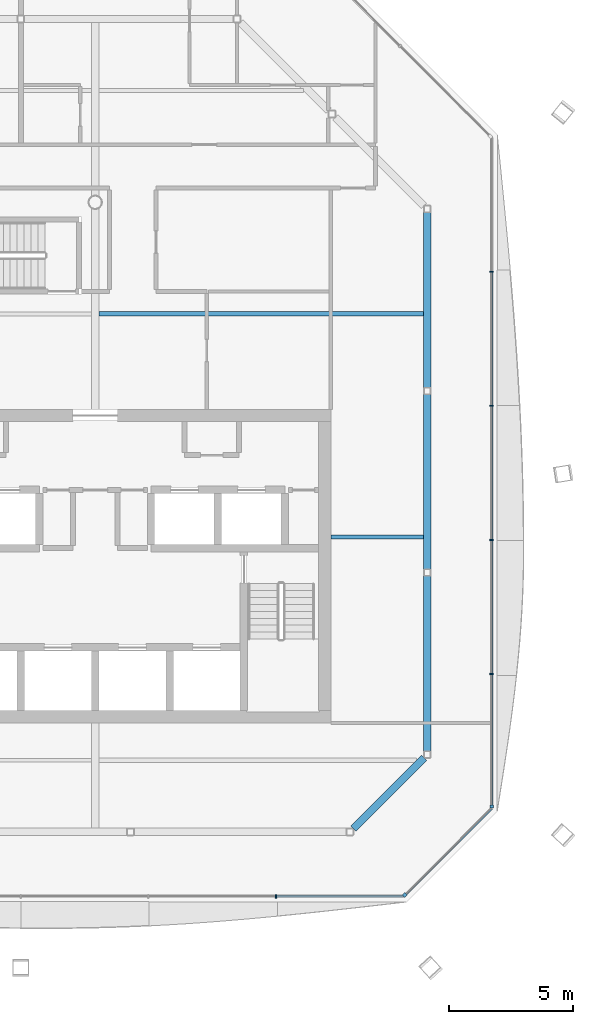
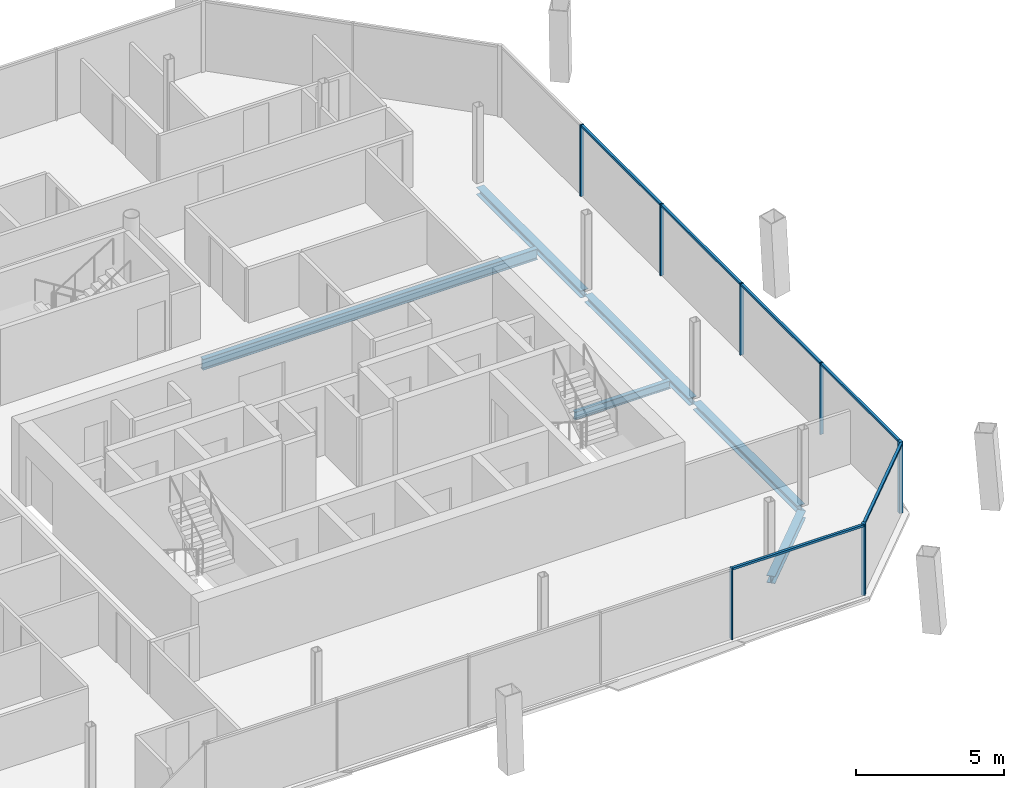
# One storey, part 7 of 18: 13 members, 6 beams, 3 elements without a shape of their own.
"""IFC4 building model written with IfcOpenShell, lengths in metres."""

from ifc_helpers import new_model, si_unit, direction, frame, origin, origin_2d, place, context, subcontext, project, spatial, rectangle, i_section, extrude, material, material_profile, profile_set, type_object, element, aggregate, save


model = new_model("IFC4")

# Units and contexts
model_context = context("Model", 3, precision=1e-05, world=origin(), true_north=direction((0.0, 1.0)))
body_context = subcontext(model_context, "Body", "Model", "MODEL_VIEW")
ifc_project = project(units=[si_unit("LENGTHUNIT", "METRE"), si_unit("AREAUNIT", "SQUARE_METRE"), si_unit("VOLUMEUNIT", "CUBIC_METRE"), si_unit("PLANEANGLEUNIT", "RADIAN"), si_unit("MASSUNIT", "GRAM", prefix="KILO")], contexts=[model_context])

# Site, building, storey
site_placement = place(None, origin())
site = spatial("IfcSite", under=ifc_project, at=site_placement, CompositionType="ELEMENT")
building_placement = place(site_placement, origin())
building = spatial("IfcBuilding", under=site, at=building_placement, Name="Tskaro Facet Tower", CompositionType="ELEMENT")
storey_placement = place(building_placement, frame((0.0, 0.0, 220.35009765625)))
storey = spatial("IfcBuildingStorey", under=building, at=storey_placement, Name="L56", CompositionType="ELEMENT", Elevation=220.35009765625)

# Curtain wall, member
ifc_material_1 = material(Name="Bronze anodised aluminium 6063-T6", Category="aluminium")
curtain_wall_type = type_object("IfcCurtainWallType", Name="Bronze residence curtain wall (FW3)", PredefinedType="NOTDEFINED", material=ifc_material_1)
curtain_wall_1_placement = place(storey_placement, origin())
curtain_wall_1 = element("IfcCurtainWall", 1, at=curtain_wall_1_placement, inside=storey, type_object=curtain_wall_type, Name="FW3 south-east facet L56", PredefinedType="NOTDEFINED")
ifc_material_profile_1 = material_profile(ifc_material_1, rectangle(XDim=0.139892578125, YDim=0.139892578125, at=origin_2d()), Name="Corner post 140x140")
ifc_profile_set_1 = profile_set([ifc_material_profile_1], Name="Bronze anodised aluminium 6063-T6")
member_type_1 = type_object("IfcMemberType", Name="FW3 bronze corner post 140x140", PredefinedType="MULLION", material=ifc_profile_set_1)
member_1_placement = place(storey_placement, frame((12.484619140625, -18.935546875, 0.0), z_axis=(0.0, 0.0, 1.0), x_axis=(0.707106781187, 0.707106781187, 0.0)))
member_1 = element("IfcMember", 2, at=member_1_placement, type_object=member_type_1, Name="FW3 south-east corner post", PredefinedType="MULLION", context=body_context, shape_type="SweptSolid", body=[
    extrude(rectangle(XDim=0.139892578125, YDim=0.139892578125, at=origin_2d()), origin(), (0.0, 0.0, 1.0), 2.949951171875),
])

curtain_wall_2_placement = place(storey_placement, origin())
curtain_wall_2 = element("IfcCurtainWall", 3, at=curtain_wall_2_placement, inside=storey, type_object=curtain_wall_type, Name="FW3 east facet L56", PredefinedType="NOTDEFINED")
member_2_placement = place(storey_placement, frame((15.985107421875, -15.364990234375, 0.0), z_axis=(0.0, 0.0, 1.0), x_axis=(0.0, 1.0, 0.0)))
member_2 = element("IfcMember", 4, at=member_2_placement, type_object=member_type_1, Name="FW3 east corner post", PredefinedType="MULLION", context=body_context, shape_type="SweptSolid", body=[
    extrude(rectangle(XDim=0.139892578125, YDim=0.139892578125, at=origin_2d()), origin(), (0.0, 0.0, 1.0), 2.949951171875),
])

curtain_wall_3_placement = place(storey_placement, origin())
curtain_wall_3 = element("IfcCurtainWall", 5, at=curtain_wall_3_placement, inside=storey, type_object=curtain_wall_type, Name="FW3 south facet L56", PredefinedType="NOTDEFINED")
ifc_material_profile_2 = material_profile(ifc_material_1, rectangle(XDim=0.050048828125, YDim=0.139892578125, at=origin_2d()), Name="Mullion 50x140")
ifc_profile_set_2 = profile_set([ifc_material_profile_2], Name="Bronze anodised aluminium 6063-T6")
member_type_2 = type_object("IfcMemberType", Name="FW3 bronze mullion 50x140", PredefinedType="MULLION", material=ifc_profile_set_2)
member_3_placement = place(storey_placement, frame((7.2900390625, -18.985107421875, 0.0), z_axis=(0.0, 0.0, 1.0), x_axis=(1.0, 0.0, 0.0)))
member_3 = element("IfcMember", 6, at=member_3_placement, type_object=member_type_2, Name="FW3 south mullion 5", PredefinedType="MULLION", context=body_context, shape_type="SweptSolid", body=[
    extrude(rectangle(XDim=0.050048828125, YDim=0.139892578125, at=origin_2d()), origin(), (0.0, 0.0, 1.0), 2.949951171875),
])

# Member
member_4_placement = place(storey_placement, frame((15.985107421875, -10.026123046875, 0.0), z_axis=(0.0, 0.0, 1.0), x_axis=(0.0, 1.0, 0.0)))
member_4 = element("IfcMember", 7, at=member_4_placement, type_object=member_type_2, Name="FW3 east mullion 1", PredefinedType="MULLION", context=body_context, shape_type="SweptSolid", body=[
    extrude(rectangle(XDim=0.050048828125, YDim=0.139892578125, at=origin_2d()), origin(), (0.0, 0.0, 1.0), 2.949951171875),
])

member_5_placement = place(storey_placement, frame((15.985107421875, -4.617431640625, 0.0), z_axis=(0.0, 0.0, 1.0), x_axis=(0.0, 1.0, 0.0)))
member_5 = element("IfcMember", 8, at=member_5_placement, type_object=member_type_2, Name="FW3 east mullion 2", PredefinedType="MULLION", context=body_context, shape_type="SweptSolid", body=[
    extrude(rectangle(XDim=0.050048828125, YDim=0.139892578125, at=origin_2d()), origin(), (0.0, 0.0, 1.0), 2.949951171875),
])

member_6_placement = place(storey_placement, frame((15.985107421875, 0.79150390625, 0.0), z_axis=(0.0, 0.0, 1.0), x_axis=(0.0, 1.0, 0.0)))
member_6 = element("IfcMember", 9, at=member_6_placement, type_object=member_type_2, Name="FW3 east mullion 3", PredefinedType="MULLION", context=body_context, shape_type="SweptSolid", body=[
    extrude(rectangle(XDim=0.050048828125, YDim=0.139892578125, at=origin_2d()), origin(), (0.0, 0.0, 1.0), 2.949951171875),
])

member_7_placement = place(storey_placement, frame((15.985107421875, 6.2001953125, 0.0), z_axis=(0.0, 0.0, 1.0), x_axis=(0.0, 1.0, 0.0)))
member_7 = element("IfcMember", 10, at=member_7_placement, type_object=member_type_2, Name="FW3 east mullion 4", PredefinedType="MULLION", context=body_context, shape_type="SweptSolid", body=[
    extrude(rectangle(XDim=0.050048828125, YDim=0.139892578125, at=origin_2d()), origin(), (0.0, 0.0, 1.0), 2.949951171875),
])

ifc_material_profile_3 = material_profile(ifc_material_1, rectangle(XDim=0.10009765625, YDim=0.090087890625, at=origin_2d()), Name="Transom 100x90")
ifc_profile_set_3 = profile_set([ifc_material_profile_3], Name="Bronze anodised aluminium 6063-T6")
member_type_3 = type_object("IfcMemberType", Name="FW3 bronze transom 100x90", PredefinedType="USERDEFINED", material=ifc_profile_set_3)
member_8_placement = place(storey_placement, frame((7.31494140625, -18.985107421875, 2.90478515625), z_axis=(1.0, 0.0, 0.0), x_axis=(0.0, 1.0, 0.0)))
member_8 = element("IfcMember", 11, at=member_8_placement, type_object=member_type_3, Name="FW3 south transom 6.1", ObjectType="TRANSOM", PredefinedType="USERDEFINED", context=body_context, shape_type="SweptSolid", body=[
    extrude(rectangle(XDim=0.10009765625, YDim=0.090087890625, at=origin_2d()), origin(), (0.0, 0.0, 1.0), 5.1201171875),
])

aggregate(curtain_wall_3, [member_3, member_8])

member_9_placement = place(storey_placement, frame((12.533935546875, -18.885986328125, 2.90478515625), z_axis=(0.70713179248, 0.707081769008, 0.0), x_axis=(-0.707081769008, 0.70713179248, 0.0)))
member_9 = element("IfcMember", 12, at=member_9_placement, type_object=member_type_3, Name="FW3 south-east transom 1.1", ObjectType="TRANSOM", PredefinedType="USERDEFINED", context=body_context, shape_type="SweptSolid", body=[
    extrude(rectangle(XDim=0.10009765625, YDim=0.090087890625, at=origin_2d()), origin(), (0.0, 0.0, 1.0), 4.880615234375),
])

aggregate(curtain_wall_1, [member_1, member_9])

member_10_placement = place(storey_placement, frame((15.985107421875, -15.294921875, 2.90478515625), z_axis=(0.0, 1.0, 0.0), x_axis=(-1.0, 0.0, 0.0)))
member_10 = element("IfcMember", 13, at=member_10_placement, type_object=member_type_3, Name="FW3 east transom 1.1", ObjectType="TRANSOM", PredefinedType="USERDEFINED", context=body_context, shape_type="SweptSolid", body=[
    extrude(rectangle(XDim=0.10009765625, YDim=0.090087890625, at=origin_2d()), origin(), (0.0, 0.0, 1.0), 5.24365234375),
])

member_11_placement = place(storey_placement, frame((15.985107421875, -10.001220703125, 2.90478515625), z_axis=(0.0, 1.0, 0.0), x_axis=(-1.0, 0.0, 0.0)))
member_11 = element("IfcMember", 14, at=member_11_placement, type_object=member_type_3, Name="FW3 east transom 2.1", ObjectType="TRANSOM", PredefinedType="USERDEFINED", context=body_context, shape_type="SweptSolid", body=[
    extrude(rectangle(XDim=0.10009765625, YDim=0.090087890625, at=origin_2d()), origin(), (0.0, 0.0, 1.0), 5.35888671875),
])

member_12_placement = place(storey_placement, frame((15.985107421875, -4.59228515625, 2.90478515625), z_axis=(0.0, 1.0, 0.0), x_axis=(-1.0, 0.0, 0.0)))
member_12 = element("IfcMember", 15, at=member_12_placement, type_object=member_type_3, Name="FW3 east transom 3.1", ObjectType="TRANSOM", PredefinedType="USERDEFINED", context=body_context, shape_type="SweptSolid", body=[
    extrude(rectangle(XDim=0.10009765625, YDim=0.090087890625, at=origin_2d()), origin(), (0.0, 0.0, 1.0), 5.358642578125),
])

member_13_placement = place(storey_placement, frame((15.985107421875, 0.81640625, 2.90478515625), z_axis=(0.0, 1.0, 0.0), x_axis=(-1.0, 0.0, 0.0)))
member_13 = element("IfcMember", 16, at=member_13_placement, type_object=member_type_3, Name="FW3 east transom 4.1", ObjectType="TRANSOM", PredefinedType="USERDEFINED", context=body_context, shape_type="SweptSolid", body=[
    extrude(rectangle(XDim=0.10009765625, YDim=0.090087890625, at=origin_2d()), origin(), (0.0, 0.0, 1.0), 5.35888671875),
])

aggregate(curtain_wall_2, [member_2, member_4, member_5, member_6, member_7, member_10, member_11, member_12, member_13])

# Beams
ifc_material_2 = material(Name="Steel S355J2", Category="steel")
ifc_material_profile_4 = material_profile(ifc_material_2, i_section(OverallWidth=0.300048828125, OverallDepth=0.300048828125, WebThickness=0.010986328125, FlangeThickness=0.01904296875, FilletRadius=0.027099609375, at=origin_2d()), Name="HE 300 B")
ifc_profile_set_4 = profile_set([ifc_material_profile_4], Name="Steel S355J2")
beam_type_1 = type_object("IfcBeamType", Name="HE 300 B ring beam", PredefinedType="BEAM", material=ifc_profile_set_4)
beam_1_placement = place(storey_placement, frame((10.40380859375, -16.255126953125, -0.2900390625), z_axis=(0.707106781187, 0.707106781187, 0.0), x_axis=(-0.707106781187, 0.707106781187, 0.0)))
element("IfcBeam", 17, at=beam_1_placement, inside=storey, type_object=beam_type_1, Name="HE 300 B EB4-5", PredefinedType="BEAM", context=body_context, shape_type="SweptSolid", body=[
    extrude(i_section(OverallWidth=0.300048828125, OverallDepth=0.300048828125, WebThickness=0.010986328125, FlangeThickness=0.01904296875, FilletRadius=0.027099609375, at=origin_2d()), origin(), (0.0, 0.0, 1.0), 4.032470703125),
])
beam_2_placement = place(storey_placement, frame((13.39111328125, -13.137939453125, -0.2900390625), z_axis=(0.0, 1.0, 0.0), x_axis=(-1.0, 0.0, 0.0)))
element("IfcBeam", 18, at=beam_2_placement, inside=storey, type_object=beam_type_1, Name="HE 300 B EB5-5", PredefinedType="BEAM", context=body_context, shape_type="SweptSolid", body=[
    extrude(i_section(OverallWidth=0.300048828125, OverallDepth=0.300048828125, WebThickness=0.010986328125, FlangeThickness=0.01904296875, FilletRadius=0.027099609375, at=origin_2d()), origin(), (0.0, 0.0, 1.0), 7.071044921875),
])
beam_3_placement = place(storey_placement, frame((13.39111328125, -5.806884765625, -0.2900390625), z_axis=(0.0, 1.0, 0.0), x_axis=(-1.0, 0.0, 0.0)))
element("IfcBeam", 19, at=beam_3_placement, inside=storey, type_object=beam_type_1, Name="HE 300 B EB6-5", PredefinedType="BEAM", context=body_context, shape_type="SweptSolid", body=[
    extrude(i_section(OverallWidth=0.300048828125, OverallDepth=0.300048828125, WebThickness=0.010986328125, FlangeThickness=0.01904296875, FilletRadius=0.027099609375, at=origin_2d()), origin(), (0.0, 0.0, 1.0), 7.07080078125),
])
beam_4_placement = place(storey_placement, frame((13.39111328125, 1.52392578125, -0.2900390625), z_axis=(0.0, 1.0, 0.0), x_axis=(-1.0, 0.0, 0.0)))
element("IfcBeam", 20, at=beam_4_placement, inside=storey, type_object=beam_type_1, Name="HE 300 B EB7-5", PredefinedType="BEAM", context=body_context, shape_type="SweptSolid", body=[
    extrude(i_section(OverallWidth=0.300048828125, OverallDepth=0.300048828125, WebThickness=0.010986328125, FlangeThickness=0.01904296875, FilletRadius=0.027099609375, at=origin_2d()), origin(), (0.0, 0.0, 1.0), 7.071044921875),
])
ifc_material_profile_5 = material_profile(ifc_material_2, i_section(OverallWidth=0.159912109375, OverallDepth=0.330078125, WebThickness=0.007568359375, FlangeThickness=0.011474609375, FilletRadius=0.01806640625, at=origin_2d()), Name="IPE 330")
ifc_profile_set_5 = profile_set([ifc_material_profile_5], Name="Steel S355J2")
beam_type_2 = type_object("IfcBeamType", Name="IPE 330 secondary beam", PredefinedType="BEAM", material=ifc_profile_set_5)
beam_5_placement = place(storey_placement, frame((9.5, -4.5, -0.30517578125), z_axis=(1.0, 0.0, 0.0), x_axis=(0.0, 1.0, 0.0)))
element("IfcBeam", 21, at=beam_5_placement, inside=storey, type_object=beam_type_2, Name="IPE 330 SB3a-2-5", PredefinedType="BEAM", context=body_context, shape_type="SweptSolid", body=[
    extrude(i_section(OverallWidth=0.159912109375, OverallDepth=0.330078125, WebThickness=0.007568359375, FlangeThickness=0.011474609375, FilletRadius=0.01806640625, at=origin_2d()), origin(), (0.0, 0.0, 1.0), 3.740966796875),
])
ifc_material_profile_6 = material_profile(ifc_material_2, i_section(OverallWidth=0.18994140625, OverallDepth=0.449951171875, WebThickness=0.009521484375, FlangeThickness=0.0146484375, FilletRadius=0.02099609375, at=origin_2d()), Name="IPE 450")
ifc_profile_set_6 = profile_set([ifc_material_profile_6], Name="Steel S355J2")
beam_type_3 = type_object("IfcBeamType", Name="IPE 450 long secondary beam", PredefinedType="BEAM", material=ifc_profile_set_6)
beam_6_placement = place(storey_placement, frame((0.14990234375, 4.5, -0.364990234375), z_axis=(1.0, 0.0, 0.0), x_axis=(0.0, 1.0, 0.0)))
element("IfcBeam", 22, at=beam_6_placement, inside=storey, type_object=beam_type_3, Name="IPE 450 LSB4a-3-5", PredefinedType="BEAM", context=body_context, shape_type="SweptSolid", body=[
    extrude(i_section(OverallWidth=0.18994140625, OverallDepth=0.449951171875, WebThickness=0.009521484375, FlangeThickness=0.0146484375, FilletRadius=0.02099609375, at=origin_2d()), origin(), (0.0, 0.0, 1.0), 13.091064453125),
])

save(model, "model.ifc")
